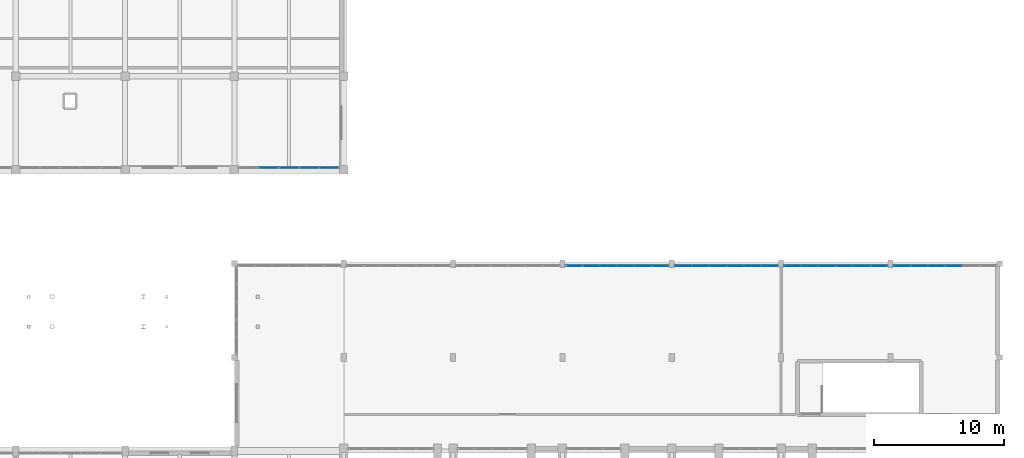
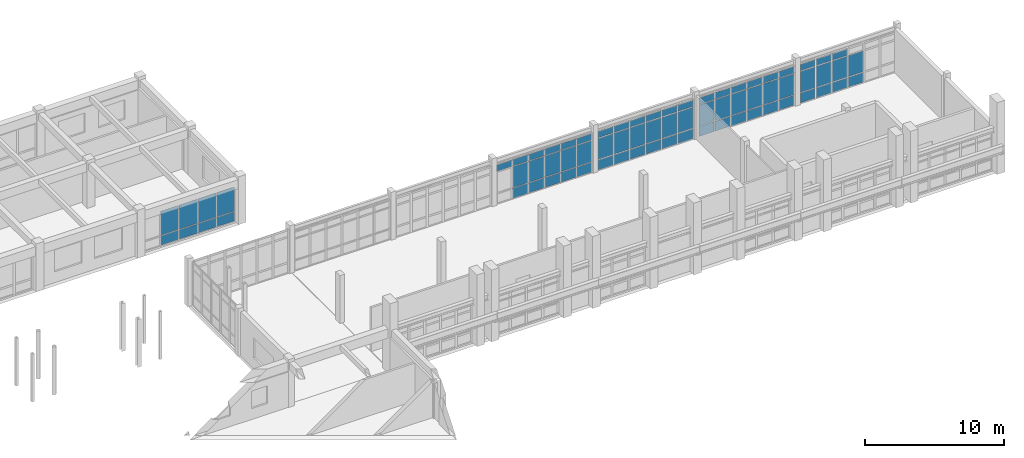
# One storey, part 120 of 147: 71 plates, 5 elements without a shape of their own.
"""IFC4 building model written with IfcOpenShell, lengths in metres."""

from ifc_helpers import new_model, si_unit, direction, frame, origin, origin_2d, place, context, subcontext, project, spatial, rectangle, extrude, material, layer, layer_set, type_object, element, aggregate, save


model = new_model("IFC4")

# Units and contexts
model_context = context("Model", 3, precision=1e-05, world=origin(), true_north=direction((0.0, 1.0)))
body_context = subcontext(model_context, "Body", "Model", "MODEL_VIEW")
ifc_project = project(units=[si_unit("LENGTHUNIT", "METRE"), si_unit("AREAUNIT", "SQUARE_METRE"), si_unit("VOLUMEUNIT", "CUBIC_METRE"), si_unit("PLANEANGLEUNIT", "RADIAN"), si_unit("MASSUNIT", "GRAM", prefix="KILO")], contexts=[model_context])

# Site, building, storey
site_placement = place(None, origin())
site = spatial("IfcSite", under=ifc_project, at=site_placement, CompositionType="ELEMENT")
building_placement = place(site_placement, origin())
building = spatial("IfcBuilding", under=site, at=building_placement, Name="Malvenik Polytechnic", CompositionType="ELEMENT")
storey_placement = place(building_placement, frame((0.0, 0.0, 5.10009765625)))
storey = spatial("IfcBuildingStorey", under=building, at=storey_placement, Name="L01", CompositionType="ELEMENT", Elevation=5.10009765625)

# Curtain wall, plates
ifc_material_1 = material(Name="Anodised aluminium 6060-T6", Category="aluminium")
curtain_wall_type = type_object("IfcCurtainWallType", Name="ARC-CW-CW-02", PredefinedType="NOTDEFINED", material=ifc_material_1)
curtain_wall_1_placement = place(storey_placement, origin())
curtain_wall_1 = element("IfcCurtainWall", 1, at=curtain_wall_1_placement, inside=storey, type_object=curtain_wall_type, Name="Unitised Curtain Wall CW-02 L01 #53", PredefinedType="NOTDEFINED")
ifc_material_2 = material(Name="Insulated low-E double glazing 8-16-8", Category="glass")
ifc_layer_1 = layer(ifc_material_2, 0.028076171875)
ifc_layer_set_1 = layer_set([ifc_layer_1], Name="Insulated low-E double glazing 8-16-8")
plate_type_1 = type_object("IfcPlateType", Name="ARC-CWP-CP-GLZ28", PredefinedType="CURTAIN_PANEL", material=ifc_layer_set_1)
plate_1_placement = place(storey_placement, frame((133.28662109375, 115.3701171875, 0.929931640625), z_axis=(0.0, 0.0, 1.0), x_axis=(-1.0, 0.0, 0.0)))
plate_1 = element("IfcPlate", 2, at=plate_1_placement, type_object=plate_type_1, Name="CW-02 panel 1.2", PredefinedType="CURTAIN_PANEL", context=body_context, shape_type="SweptSolid", body=[
    extrude(rectangle(XDim=1.460693359375, YDim=0.028076171875, at=origin_2d()), origin(), (0.0, 0.0, 1.0), 2.1201171875),
])
plate_2_placement = place(storey_placement, frame((131.750732421875, 115.3701171875, 0.929931640625), z_axis=(0.0, 0.0, 1.0), x_axis=(-1.0, 0.0, 0.0)))
plate_2 = element("IfcPlate", 3, at=plate_2_placement, type_object=plate_type_1, Name="CW-02 panel 2.2", PredefinedType="CURTAIN_PANEL", context=body_context, shape_type="SweptSolid", body=[
    extrude(rectangle(XDim=1.49072265625, YDim=0.028076171875, at=origin_2d()), origin(), (0.0, 0.0, 1.0), 2.1201171875),
])
plate_3_placement = place(storey_placement, frame((130.199951171875, 115.3701171875, 0.929931640625), z_axis=(0.0, 0.0, 1.0), x_axis=(-1.0, 0.0, 0.0)))
plate_3 = element("IfcPlate", 4, at=plate_3_placement, type_object=plate_type_1, Name="CW-02 panel 3.2", PredefinedType="CURTAIN_PANEL", context=body_context, shape_type="SweptSolid", body=[
    extrude(rectangle(XDim=1.49072265625, YDim=0.028076171875, at=origin_2d()), origin(), (0.0, 0.0, 1.0), 2.1201171875),
])
plate_4_placement = place(storey_placement, frame((128.649169921875, 115.3701171875, 0.929931640625), z_axis=(0.0, 0.0, 1.0), x_axis=(-1.0, 0.0, 0.0)))
plate_4 = element("IfcPlate", 5, at=plate_4_placement, type_object=plate_type_1, Name="CW-02 panel 4.2", PredefinedType="CURTAIN_PANEL", context=body_context, shape_type="SweptSolid", body=[
    extrude(rectangle(XDim=1.49072265625, YDim=0.028076171875, at=origin_2d()), origin(), (0.0, 0.0, 1.0), 2.1201171875),
])

curtain_wall_2_placement = place(storey_placement, origin())
curtain_wall_2 = element("IfcCurtainWall", 6, at=curtain_wall_2_placement, inside=storey, type_object=curtain_wall_type, Name="Unitised Curtain Wall CW-02 L01 #67", PredefinedType="NOTDEFINED")
plate_5_placement = place(storey_placement, frame((152.080078125, 107.830078125, 2.8779296875), z_axis=(0.0, 0.0, 1.0), x_axis=(1.0, 0.0, 0.0)))
plate_5 = element("IfcPlate", 7, at=plate_5_placement, type_object=plate_type_1, Name="CW-02 panel 1.3", PredefinedType="CURTAIN_PANEL", context=body_context, shape_type="SweptSolid", body=[
    extrude(rectangle(XDim=1.243896484375, YDim=0.028076171875, at=origin_2d()), origin(), (0.0, 0.0, 1.0), 0.56005859375),
])
plate_6_placement = place(storey_placement, frame((153.39892578125, 107.830078125, 0.97998046875), z_axis=(0.0, 0.0, 1.0), x_axis=(1.0, 0.0, 0.0)))
plate_6 = element("IfcPlate", 8, at=plate_6_placement, type_object=plate_type_1, Name="CW-02 panel 2.2", PredefinedType="CURTAIN_PANEL", context=body_context, shape_type="SweptSolid", body=[
    extrude(rectangle(XDim=1.27392578125, YDim=0.028076171875, at=origin_2d()), origin(), (0.0, 0.0, 1.0), 1.837890625),
])
plate_7_placement = place(storey_placement, frame((153.39892578125, 107.830078125, 2.8779296875), z_axis=(0.0, 0.0, 1.0), x_axis=(1.0, 0.0, 0.0)))
plate_7 = element("IfcPlate", 9, at=plate_7_placement, type_object=plate_type_1, Name="CW-02 panel 2.3", PredefinedType="CURTAIN_PANEL", context=body_context, shape_type="SweptSolid", body=[
    extrude(rectangle(XDim=1.27392578125, YDim=0.028076171875, at=origin_2d()), origin(), (0.0, 0.0, 1.0), 0.56005859375),
])
plate_8_placement = place(storey_placement, frame((154.73291015625, 107.830078125, 0.97998046875), z_axis=(0.0, 0.0, 1.0), x_axis=(1.0, 0.0, 0.0)))
plate_8 = element("IfcPlate", 10, at=plate_8_placement, type_object=plate_type_1, Name="CW-02 panel 3.2", PredefinedType="CURTAIN_PANEL", context=body_context, shape_type="SweptSolid", body=[
    extrude(rectangle(XDim=1.27392578125, YDim=0.028076171875, at=origin_2d()), origin(), (0.0, 0.0, 1.0), 1.837890625),
])
plate_9_placement = place(storey_placement, frame((154.73291015625, 107.830078125, 2.8779296875), z_axis=(0.0, 0.0, 1.0), x_axis=(1.0, 0.0, 0.0)))
plate_9 = element("IfcPlate", 11, at=plate_9_placement, type_object=plate_type_1, Name="CW-02 panel 3.3", PredefinedType="CURTAIN_PANEL", context=body_context, shape_type="SweptSolid", body=[
    extrude(rectangle(XDim=1.27392578125, YDim=0.028076171875, at=origin_2d()), origin(), (0.0, 0.0, 1.0), 0.56005859375),
])
plate_10_placement = place(storey_placement, frame((156.06689453125, 107.830078125, 0.97998046875), z_axis=(0.0, 0.0, 1.0), x_axis=(1.0, 0.0, 0.0)))
plate_10 = element("IfcPlate", 12, at=plate_10_placement, type_object=plate_type_1, Name="CW-02 panel 4.2", PredefinedType="CURTAIN_PANEL", context=body_context, shape_type="SweptSolid", body=[
    extrude(rectangle(XDim=1.27392578125, YDim=0.028076171875, at=origin_2d()), origin(), (0.0, 0.0, 1.0), 1.837890625),
])
plate_11_placement = place(storey_placement, frame((156.06689453125, 107.830078125, 2.8779296875), z_axis=(0.0, 0.0, 1.0), x_axis=(1.0, 0.0, 0.0)))
plate_11 = element("IfcPlate", 13, at=plate_11_placement, type_object=plate_type_1, Name="CW-02 panel 4.3", PredefinedType="CURTAIN_PANEL", context=body_context, shape_type="SweptSolid", body=[
    extrude(rectangle(XDim=1.27392578125, YDim=0.028076171875, at=origin_2d()), origin(), (0.0, 0.0, 1.0), 0.56005859375),
])
plate_12_placement = place(storey_placement, frame((157.40087890625, 107.830078125, 0.97998046875), z_axis=(0.0, 0.0, 1.0), x_axis=(1.0, 0.0, 0.0)))
plate_12 = element("IfcPlate", 14, at=plate_12_placement, type_object=plate_type_1, Name="CW-02 panel 5.2", PredefinedType="CURTAIN_PANEL", context=body_context, shape_type="SweptSolid", body=[
    extrude(rectangle(XDim=1.27392578125, YDim=0.028076171875, at=origin_2d()), origin(), (0.0, 0.0, 1.0), 1.837890625),
])
plate_13_placement = place(storey_placement, frame((157.40087890625, 107.830078125, 2.8779296875), z_axis=(0.0, 0.0, 1.0), x_axis=(1.0, 0.0, 0.0)))
plate_13 = element("IfcPlate", 15, at=plate_13_placement, type_object=plate_type_1, Name="CW-02 panel 5.3", PredefinedType="CURTAIN_PANEL", context=body_context, shape_type="SweptSolid", body=[
    extrude(rectangle(XDim=1.27392578125, YDim=0.028076171875, at=origin_2d()), origin(), (0.0, 0.0, 1.0), 0.56005859375),
])
plate_14_placement = place(storey_placement, frame((158.719970703125, 107.830078125, 0.97998046875), z_axis=(0.0, 0.0, 1.0), x_axis=(1.0, 0.0, 0.0)))
plate_14 = element("IfcPlate", 16, at=plate_14_placement, type_object=plate_type_1, Name="CW-02 panel 6.2", PredefinedType="CURTAIN_PANEL", context=body_context, shape_type="SweptSolid", body=[
    extrude(rectangle(XDim=1.243896484375, YDim=0.028076171875, at=origin_2d()), origin(), (0.0, 0.0, 1.0), 1.837890625),
])
plate_15_placement = place(storey_placement, frame((158.719970703125, 107.830078125, 2.8779296875), z_axis=(0.0, 0.0, 1.0), x_axis=(1.0, 0.0, 0.0)))
plate_15 = element("IfcPlate", 17, at=plate_15_placement, type_object=plate_type_1, Name="CW-02 panel 6.3", PredefinedType="CURTAIN_PANEL", context=body_context, shape_type="SweptSolid", body=[
    extrude(rectangle(XDim=1.243896484375, YDim=0.028076171875, at=origin_2d()), origin(), (0.0, 0.0, 1.0), 0.56005859375),
])

curtain_wall_3_placement = place(storey_placement, origin())
curtain_wall_3 = element("IfcCurtainWall", 18, at=curtain_wall_3_placement, inside=storey, type_object=curtain_wall_type, Name="Unitised Curtain Wall CW-02 L01 #68", PredefinedType="NOTDEFINED")
plate_16_placement = place(storey_placement, frame((160.47998046875, 107.830078125, 0.97998046875), z_axis=(0.0, 0.0, 1.0), x_axis=(1.0, 0.0, 0.0)))
plate_16 = element("IfcPlate", 19, at=plate_16_placement, type_object=plate_type_1, Name="CW-02 panel 1.2", PredefinedType="CURTAIN_PANEL", context=body_context, shape_type="SweptSolid", body=[
    extrude(rectangle(XDim=1.243896484375, YDim=0.028076171875, at=origin_2d()), origin(), (0.0, 0.0, 1.0), 1.837890625),
])
plate_17_placement = place(storey_placement, frame((160.47998046875, 107.830078125, 2.8779296875), z_axis=(0.0, 0.0, 1.0), x_axis=(1.0, 0.0, 0.0)))
plate_17 = element("IfcPlate", 20, at=plate_17_placement, type_object=plate_type_1, Name="CW-02 panel 1.3", PredefinedType="CURTAIN_PANEL", context=body_context, shape_type="SweptSolid", body=[
    extrude(rectangle(XDim=1.243896484375, YDim=0.028076171875, at=origin_2d()), origin(), (0.0, 0.0, 1.0), 0.56005859375),
])
plate_18_placement = place(storey_placement, frame((161.799072265625, 107.830078125, 0.97998046875), z_axis=(0.0, 0.0, 1.0), x_axis=(1.0, 0.0, 0.0)))
plate_18 = element("IfcPlate", 21, at=plate_18_placement, type_object=plate_type_1, Name="CW-02 panel 2.2", PredefinedType="CURTAIN_PANEL", context=body_context, shape_type="SweptSolid", body=[
    extrude(rectangle(XDim=1.27392578125, YDim=0.028076171875, at=origin_2d()), origin(), (0.0, 0.0, 1.0), 1.837890625),
])
plate_19_placement = place(storey_placement, frame((161.799072265625, 107.830078125, 2.8779296875), z_axis=(0.0, 0.0, 1.0), x_axis=(1.0, 0.0, 0.0)))
plate_19 = element("IfcPlate", 22, at=plate_19_placement, type_object=plate_type_1, Name="CW-02 panel 2.3", PredefinedType="CURTAIN_PANEL", context=body_context, shape_type="SweptSolid", body=[
    extrude(rectangle(XDim=1.27392578125, YDim=0.028076171875, at=origin_2d()), origin(), (0.0, 0.0, 1.0), 0.56005859375),
])
plate_20_placement = place(storey_placement, frame((163.133056640625, 107.830078125, 0.97998046875), z_axis=(0.0, 0.0, 1.0), x_axis=(1.0, 0.0, 0.0)))
plate_20 = element("IfcPlate", 23, at=plate_20_placement, type_object=plate_type_1, Name="CW-02 panel 3.2", PredefinedType="CURTAIN_PANEL", context=body_context, shape_type="SweptSolid", body=[
    extrude(rectangle(XDim=1.27392578125, YDim=0.028076171875, at=origin_2d()), origin(), (0.0, 0.0, 1.0), 1.837890625),
])
plate_21_placement = place(storey_placement, frame((163.133056640625, 107.830078125, 2.8779296875), z_axis=(0.0, 0.0, 1.0), x_axis=(1.0, 0.0, 0.0)))
plate_21 = element("IfcPlate", 24, at=plate_21_placement, type_object=plate_type_1, Name="CW-02 panel 3.3", PredefinedType="CURTAIN_PANEL", context=body_context, shape_type="SweptSolid", body=[
    extrude(rectangle(XDim=1.27392578125, YDim=0.028076171875, at=origin_2d()), origin(), (0.0, 0.0, 1.0), 0.56005859375),
])
plate_22_placement = place(storey_placement, frame((164.467041015625, 107.830078125, 0.97998046875), z_axis=(0.0, 0.0, 1.0), x_axis=(1.0, 0.0, 0.0)))
plate_22 = element("IfcPlate", 25, at=plate_22_placement, type_object=plate_type_1, Name="CW-02 panel 4.2", PredefinedType="CURTAIN_PANEL", context=body_context, shape_type="SweptSolid", body=[
    extrude(rectangle(XDim=1.27392578125, YDim=0.028076171875, at=origin_2d()), origin(), (0.0, 0.0, 1.0), 1.837890625),
])
plate_23_placement = place(storey_placement, frame((164.467041015625, 107.830078125, 2.8779296875), z_axis=(0.0, 0.0, 1.0), x_axis=(1.0, 0.0, 0.0)))
plate_23 = element("IfcPlate", 26, at=plate_23_placement, type_object=plate_type_1, Name="CW-02 panel 4.3", PredefinedType="CURTAIN_PANEL", context=body_context, shape_type="SweptSolid", body=[
    extrude(rectangle(XDim=1.27392578125, YDim=0.028076171875, at=origin_2d()), origin(), (0.0, 0.0, 1.0), 0.56005859375),
])
plate_24_placement = place(storey_placement, frame((165.801025390625, 107.830078125, 0.97998046875), z_axis=(0.0, 0.0, 1.0), x_axis=(1.0, 0.0, 0.0)))
plate_24 = element("IfcPlate", 27, at=plate_24_placement, type_object=plate_type_1, Name="CW-02 panel 5.2", PredefinedType="CURTAIN_PANEL", context=body_context, shape_type="SweptSolid", body=[
    extrude(rectangle(XDim=1.27392578125, YDim=0.028076171875, at=origin_2d()), origin(), (0.0, 0.0, 1.0), 1.837890625),
])
plate_25_placement = place(storey_placement, frame((165.801025390625, 107.830078125, 2.8779296875), z_axis=(0.0, 0.0, 1.0), x_axis=(1.0, 0.0, 0.0)))
plate_25 = element("IfcPlate", 28, at=plate_25_placement, type_object=plate_type_1, Name="CW-02 panel 5.3", PredefinedType="CURTAIN_PANEL", context=body_context, shape_type="SweptSolid", body=[
    extrude(rectangle(XDim=1.27392578125, YDim=0.028076171875, at=origin_2d()), origin(), (0.0, 0.0, 1.0), 0.56005859375),
])
plate_26_placement = place(storey_placement, frame((167.1201171875, 107.830078125, 0.97998046875), z_axis=(0.0, 0.0, 1.0), x_axis=(1.0, 0.0, 0.0)))
plate_26 = element("IfcPlate", 29, at=plate_26_placement, type_object=plate_type_1, Name="CW-02 panel 6.2", PredefinedType="CURTAIN_PANEL", context=body_context, shape_type="SweptSolid", body=[
    extrude(rectangle(XDim=1.243896484375, YDim=0.028076171875, at=origin_2d()), origin(), (0.0, 0.0, 1.0), 1.837890625),
])
plate_27_placement = place(storey_placement, frame((167.1201171875, 107.830078125, 2.8779296875), z_axis=(0.0, 0.0, 1.0), x_axis=(1.0, 0.0, 0.0)))
plate_27 = element("IfcPlate", 30, at=plate_27_placement, type_object=plate_type_1, Name="CW-02 panel 6.3", PredefinedType="CURTAIN_PANEL", context=body_context, shape_type="SweptSolid", body=[
    extrude(rectangle(XDim=1.243896484375, YDim=0.028076171875, at=origin_2d()), origin(), (0.0, 0.0, 1.0), 0.56005859375),
])

curtain_wall_4_placement = place(storey_placement, origin())
curtain_wall_4 = element("IfcCurtainWall", 31, at=curtain_wall_4_placement, inside=storey, type_object=curtain_wall_type, Name="Unitised Curtain Wall CW-02 L01 #69", PredefinedType="NOTDEFINED")
plate_28_placement = place(storey_placement, frame((168.8798828125, 107.830078125, 0.97998046875), z_axis=(0.0, 0.0, 1.0), x_axis=(1.0, 0.0, 0.0)))
plate_28 = element("IfcPlate", 32, at=plate_28_placement, type_object=plate_type_1, Name="CW-02 panel 1.2", PredefinedType="CURTAIN_PANEL", context=body_context, shape_type="SweptSolid", body=[
    extrude(rectangle(XDim=1.243896484375, YDim=0.028076171875, at=origin_2d()), origin(), (0.0, 0.0, 1.0), 1.837890625),
])
plate_29_placement = place(storey_placement, frame((168.8798828125, 107.830078125, 2.8779296875), z_axis=(0.0, 0.0, 1.0), x_axis=(1.0, 0.0, 0.0)))
plate_29 = element("IfcPlate", 33, at=plate_29_placement, type_object=plate_type_1, Name="CW-02 panel 1.3", PredefinedType="CURTAIN_PANEL", context=body_context, shape_type="SweptSolid", body=[
    extrude(rectangle(XDim=1.243896484375, YDim=0.028076171875, at=origin_2d()), origin(), (0.0, 0.0, 1.0), 0.56005859375),
])
plate_30_placement = place(storey_placement, frame((170.198974609375, 107.830078125, 0.97998046875), z_axis=(0.0, 0.0, 1.0), x_axis=(1.0, 0.0, 0.0)))
plate_30 = element("IfcPlate", 34, at=plate_30_placement, type_object=plate_type_1, Name="CW-02 panel 2.2", PredefinedType="CURTAIN_PANEL", context=body_context, shape_type="SweptSolid", body=[
    extrude(rectangle(XDim=1.27392578125, YDim=0.028076171875, at=origin_2d()), origin(), (0.0, 0.0, 1.0), 1.837890625),
])
plate_31_placement = place(storey_placement, frame((170.198974609375, 107.830078125, 2.8779296875), z_axis=(0.0, 0.0, 1.0), x_axis=(1.0, 0.0, 0.0)))
plate_31 = element("IfcPlate", 35, at=plate_31_placement, type_object=plate_type_1, Name="CW-02 panel 2.3", PredefinedType="CURTAIN_PANEL", context=body_context, shape_type="SweptSolid", body=[
    extrude(rectangle(XDim=1.27392578125, YDim=0.028076171875, at=origin_2d()), origin(), (0.0, 0.0, 1.0), 0.56005859375),
])
plate_32_placement = place(storey_placement, frame((171.532958984375, 107.830078125, 0.97998046875), z_axis=(0.0, 0.0, 1.0), x_axis=(1.0, 0.0, 0.0)))
plate_32 = element("IfcPlate", 36, at=plate_32_placement, type_object=plate_type_1, Name="CW-02 panel 3.2", PredefinedType="CURTAIN_PANEL", context=body_context, shape_type="SweptSolid", body=[
    extrude(rectangle(XDim=1.27392578125, YDim=0.028076171875, at=origin_2d()), origin(), (0.0, 0.0, 1.0), 1.837890625),
])
plate_33_placement = place(storey_placement, frame((171.532958984375, 107.830078125, 2.8779296875), z_axis=(0.0, 0.0, 1.0), x_axis=(1.0, 0.0, 0.0)))
plate_33 = element("IfcPlate", 37, at=plate_33_placement, type_object=plate_type_1, Name="CW-02 panel 3.3", PredefinedType="CURTAIN_PANEL", context=body_context, shape_type="SweptSolid", body=[
    extrude(rectangle(XDim=1.27392578125, YDim=0.028076171875, at=origin_2d()), origin(), (0.0, 0.0, 1.0), 0.56005859375),
])
plate_34_placement = place(storey_placement, frame((172.866943359375, 107.830078125, 0.97998046875), z_axis=(0.0, 0.0, 1.0), x_axis=(1.0, 0.0, 0.0)))
plate_34 = element("IfcPlate", 38, at=plate_34_placement, type_object=plate_type_1, Name="CW-02 panel 4.2", PredefinedType="CURTAIN_PANEL", context=body_context, shape_type="SweptSolid", body=[
    extrude(rectangle(XDim=1.27392578125, YDim=0.028076171875, at=origin_2d()), origin(), (0.0, 0.0, 1.0), 1.837890625),
])
plate_35_placement = place(storey_placement, frame((172.866943359375, 107.830078125, 2.8779296875), z_axis=(0.0, 0.0, 1.0), x_axis=(1.0, 0.0, 0.0)))
plate_35 = element("IfcPlate", 39, at=plate_35_placement, type_object=plate_type_1, Name="CW-02 panel 4.3", PredefinedType="CURTAIN_PANEL", context=body_context, shape_type="SweptSolid", body=[
    extrude(rectangle(XDim=1.27392578125, YDim=0.028076171875, at=origin_2d()), origin(), (0.0, 0.0, 1.0), 0.56005859375),
])
plate_36_placement = place(storey_placement, frame((174.200927734375, 107.830078125, 0.97998046875), z_axis=(0.0, 0.0, 1.0), x_axis=(1.0, 0.0, 0.0)))
plate_36 = element("IfcPlate", 40, at=plate_36_placement, type_object=plate_type_1, Name="CW-02 panel 5.2", PredefinedType="CURTAIN_PANEL", context=body_context, shape_type="SweptSolid", body=[
    extrude(rectangle(XDim=1.27392578125, YDim=0.028076171875, at=origin_2d()), origin(), (0.0, 0.0, 1.0), 1.837890625),
])
plate_37_placement = place(storey_placement, frame((174.200927734375, 107.830078125, 2.8779296875), z_axis=(0.0, 0.0, 1.0), x_axis=(1.0, 0.0, 0.0)))
plate_37 = element("IfcPlate", 41, at=plate_37_placement, type_object=plate_type_1, Name="CW-02 panel 5.3", PredefinedType="CURTAIN_PANEL", context=body_context, shape_type="SweptSolid", body=[
    extrude(rectangle(XDim=1.27392578125, YDim=0.028076171875, at=origin_2d()), origin(), (0.0, 0.0, 1.0), 0.56005859375),
])
plate_38_placement = place(storey_placement, frame((175.52001953125, 107.830078125, 0.97998046875), z_axis=(0.0, 0.0, 1.0), x_axis=(1.0, 0.0, 0.0)))
plate_38 = element("IfcPlate", 42, at=plate_38_placement, type_object=plate_type_1, Name="CW-02 panel 6.2", PredefinedType="CURTAIN_PANEL", context=body_context, shape_type="SweptSolid", body=[
    extrude(rectangle(XDim=1.243896484375, YDim=0.028076171875, at=origin_2d()), origin(), (0.0, 0.0, 1.0), 1.837890625),
])
plate_39_placement = place(storey_placement, frame((175.52001953125, 107.830078125, 2.8779296875), z_axis=(0.0, 0.0, 1.0), x_axis=(1.0, 0.0, 0.0)))
plate_39 = element("IfcPlate", 43, at=plate_39_placement, type_object=plate_type_1, Name="CW-02 panel 6.3", PredefinedType="CURTAIN_PANEL", context=body_context, shape_type="SweptSolid", body=[
    extrude(rectangle(XDim=1.243896484375, YDim=0.028076171875, at=origin_2d()), origin(), (0.0, 0.0, 1.0), 0.56005859375),
])

curtain_wall_5_placement = place(storey_placement, origin())
curtain_wall_5 = element("IfcCurtainWall", 44, at=curtain_wall_5_placement, inside=storey, type_object=curtain_wall_type, Name="Unitised Curtain Wall CW-02 L01 #70", PredefinedType="NOTDEFINED")
plate_40_placement = place(storey_placement, frame((177.280029296875, 107.830078125, 0.97998046875), z_axis=(0.0, 0.0, 1.0), x_axis=(1.0, 0.0, 0.0)))
plate_40 = element("IfcPlate", 45, at=plate_40_placement, type_object=plate_type_1, Name="CW-02 panel 1.2", PredefinedType="CURTAIN_PANEL", context=body_context, shape_type="SweptSolid", body=[
    extrude(rectangle(XDim=1.243896484375, YDim=0.028076171875, at=origin_2d()), origin(), (0.0, 0.0, 1.0), 1.837890625),
])
plate_41_placement = place(storey_placement, frame((177.280029296875, 107.830078125, 2.8779296875), z_axis=(0.0, 0.0, 1.0), x_axis=(1.0, 0.0, 0.0)))
plate_41 = element("IfcPlate", 46, at=plate_41_placement, type_object=plate_type_1, Name="CW-02 panel 1.3", PredefinedType="CURTAIN_PANEL", context=body_context, shape_type="SweptSolid", body=[
    extrude(rectangle(XDim=1.243896484375, YDim=0.028076171875, at=origin_2d()), origin(), (0.0, 0.0, 1.0), 0.56005859375),
])
plate_42_placement = place(storey_placement, frame((178.59912109375, 107.830078125, 0.97998046875), z_axis=(0.0, 0.0, 1.0), x_axis=(1.0, 0.0, 0.0)))
plate_42 = element("IfcPlate", 47, at=plate_42_placement, type_object=plate_type_1, Name="CW-02 panel 2.2", PredefinedType="CURTAIN_PANEL", context=body_context, shape_type="SweptSolid", body=[
    extrude(rectangle(XDim=1.27392578125, YDim=0.028076171875, at=origin_2d()), origin(), (0.0, 0.0, 1.0), 1.837890625),
])
plate_43_placement = place(storey_placement, frame((178.59912109375, 107.830078125, 2.8779296875), z_axis=(0.0, 0.0, 1.0), x_axis=(1.0, 0.0, 0.0)))
plate_43 = element("IfcPlate", 48, at=plate_43_placement, type_object=plate_type_1, Name="CW-02 panel 2.3", PredefinedType="CURTAIN_PANEL", context=body_context, shape_type="SweptSolid", body=[
    extrude(rectangle(XDim=1.27392578125, YDim=0.028076171875, at=origin_2d()), origin(), (0.0, 0.0, 1.0), 0.56005859375),
])
plate_44_placement = place(storey_placement, frame((179.93310546875, 107.830078125, 0.97998046875), z_axis=(0.0, 0.0, 1.0), x_axis=(1.0, 0.0, 0.0)))
plate_44 = element("IfcPlate", 49, at=plate_44_placement, type_object=plate_type_1, Name="CW-02 panel 3.2", PredefinedType="CURTAIN_PANEL", context=body_context, shape_type="SweptSolid", body=[
    extrude(rectangle(XDim=1.27392578125, YDim=0.028076171875, at=origin_2d()), origin(), (0.0, 0.0, 1.0), 1.837890625),
])
plate_45_placement = place(storey_placement, frame((179.93310546875, 107.830078125, 2.8779296875), z_axis=(0.0, 0.0, 1.0), x_axis=(1.0, 0.0, 0.0)))
plate_45 = element("IfcPlate", 50, at=plate_45_placement, type_object=plate_type_1, Name="CW-02 panel 3.3", PredefinedType="CURTAIN_PANEL", context=body_context, shape_type="SweptSolid", body=[
    extrude(rectangle(XDim=1.27392578125, YDim=0.028076171875, at=origin_2d()), origin(), (0.0, 0.0, 1.0), 0.56005859375),
])
plate_46_placement = place(storey_placement, frame((181.26708984375, 107.830078125, 0.97998046875), z_axis=(0.0, 0.0, 1.0), x_axis=(1.0, 0.0, 0.0)))
plate_46 = element("IfcPlate", 51, at=plate_46_placement, type_object=plate_type_1, Name="CW-02 panel 4.2", PredefinedType="CURTAIN_PANEL", context=body_context, shape_type="SweptSolid", body=[
    extrude(rectangle(XDim=1.27392578125, YDim=0.028076171875, at=origin_2d()), origin(), (0.0, 0.0, 1.0), 1.837890625),
])

# Plate
ifc_material_3 = material(Name="Insulated aluminium spandrel cassette 42mm", Category="aluminium")
ifc_layer_2 = layer(ifc_material_3, 0.0419921875)
ifc_layer_set_2 = layer_set([ifc_layer_2], Name="Insulated aluminium spandrel cassette 42mm")
plate_type_2 = type_object("IfcPlateType", Name="ARC-CWP-CP-SPN42", PredefinedType="CURTAIN_PANEL", material=ifc_layer_set_2)
plate_47_placement = place(storey_placement, frame((133.28662109375, 115.3701171875, 0.059814453125), z_axis=(0.0, 0.0, 1.0), x_axis=(-1.0, 0.0, 0.0)))
plate_47 = element("IfcPlate", 52, at=plate_47_placement, type_object=plate_type_2, Name="CW-02 panel 1.1", PredefinedType="CURTAIN_PANEL", context=body_context, shape_type="SweptSolid", body=[
    extrude(rectangle(XDim=1.460693359375, YDim=0.028076171875, at=origin_2d()), origin(), (0.0, 0.0, 1.0), 0.81005859375),
])

plate_48_placement = place(storey_placement, frame((131.750732421875, 115.3701171875, 0.059814453125), z_axis=(0.0, 0.0, 1.0), x_axis=(-1.0, 0.0, 0.0)))
plate_48 = element("IfcPlate", 53, at=plate_48_placement, type_object=plate_type_2, Name="CW-02 panel 2.1", PredefinedType="CURTAIN_PANEL", context=body_context, shape_type="SweptSolid", body=[
    extrude(rectangle(XDim=1.49072265625, YDim=0.028076171875, at=origin_2d()), origin(), (0.0, 0.0, 1.0), 0.81005859375),
])

plate_49_placement = place(storey_placement, frame((130.199951171875, 115.3701171875, 0.059814453125), z_axis=(0.0, 0.0, 1.0), x_axis=(-1.0, 0.0, 0.0)))
plate_49 = element("IfcPlate", 54, at=plate_49_placement, type_object=plate_type_2, Name="CW-02 panel 3.1", PredefinedType="CURTAIN_PANEL", context=body_context, shape_type="SweptSolid", body=[
    extrude(rectangle(XDim=1.49072265625, YDim=0.028076171875, at=origin_2d()), origin(), (0.0, 0.0, 1.0), 0.81005859375),
])

plate_50_placement = place(storey_placement, frame((128.649169921875, 115.3701171875, 0.059814453125), z_axis=(0.0, 0.0, 1.0), x_axis=(-1.0, 0.0, 0.0)))
plate_50 = element("IfcPlate", 55, at=plate_50_placement, type_object=plate_type_2, Name="CW-02 panel 4.1", PredefinedType="CURTAIN_PANEL", context=body_context, shape_type="SweptSolid", body=[
    extrude(rectangle(XDim=1.49072265625, YDim=0.028076171875, at=origin_2d()), origin(), (0.0, 0.0, 1.0), 0.81005859375),
])

aggregate(curtain_wall_1, [plate_47, plate_1, plate_48, plate_2, plate_49, plate_3, plate_50, plate_4])

plate_51_placement = place(storey_placement, frame((153.39892578125, 107.830078125, 0.06005859375), z_axis=(0.0, 0.0, 1.0), x_axis=(1.0, 0.0, 0.0)))
plate_51 = element("IfcPlate", 56, at=plate_51_placement, type_object=plate_type_2, Name="CW-02 panel 2.1", PredefinedType="CURTAIN_PANEL", context=body_context, shape_type="SweptSolid", body=[
    extrude(rectangle(XDim=1.27392578125, YDim=0.028076171875, at=origin_2d()), origin(), (0.0, 0.0, 1.0), 0.860107421875),
])

plate_52_placement = place(storey_placement, frame((154.73291015625, 107.830078125, 0.06005859375), z_axis=(0.0, 0.0, 1.0), x_axis=(1.0, 0.0, 0.0)))
plate_52 = element("IfcPlate", 57, at=plate_52_placement, type_object=plate_type_2, Name="CW-02 panel 3.1", PredefinedType="CURTAIN_PANEL", context=body_context, shape_type="SweptSolid", body=[
    extrude(rectangle(XDim=1.27392578125, YDim=0.028076171875, at=origin_2d()), origin(), (0.0, 0.0, 1.0), 0.860107421875),
])

plate_53_placement = place(storey_placement, frame((156.06689453125, 107.830078125, 0.06005859375), z_axis=(0.0, 0.0, 1.0), x_axis=(1.0, 0.0, 0.0)))
plate_53 = element("IfcPlate", 58, at=plate_53_placement, type_object=plate_type_2, Name="CW-02 panel 4.1", PredefinedType="CURTAIN_PANEL", context=body_context, shape_type="SweptSolid", body=[
    extrude(rectangle(XDim=1.27392578125, YDim=0.028076171875, at=origin_2d()), origin(), (0.0, 0.0, 1.0), 0.860107421875),
])

plate_54_placement = place(storey_placement, frame((157.40087890625, 107.830078125, 0.06005859375), z_axis=(0.0, 0.0, 1.0), x_axis=(1.0, 0.0, 0.0)))
plate_54 = element("IfcPlate", 59, at=plate_54_placement, type_object=plate_type_2, Name="CW-02 panel 5.1", PredefinedType="CURTAIN_PANEL", context=body_context, shape_type="SweptSolid", body=[
    extrude(rectangle(XDim=1.27392578125, YDim=0.028076171875, at=origin_2d()), origin(), (0.0, 0.0, 1.0), 0.860107421875),
])

plate_55_placement = place(storey_placement, frame((158.719970703125, 107.830078125, 0.06005859375), z_axis=(0.0, 0.0, 1.0), x_axis=(1.0, 0.0, 0.0)))
plate_55 = element("IfcPlate", 60, at=plate_55_placement, type_object=plate_type_2, Name="CW-02 panel 6.1", PredefinedType="CURTAIN_PANEL", context=body_context, shape_type="SweptSolid", body=[
    extrude(rectangle(XDim=1.243896484375, YDim=0.028076171875, at=origin_2d()), origin(), (0.0, 0.0, 1.0), 0.860107421875),
])

aggregate(curtain_wall_2, [plate_5, plate_51, plate_6, plate_7, plate_52, plate_8, plate_9, plate_53, plate_10, plate_11, plate_54, plate_12, plate_13, plate_55, plate_14, plate_15])

plate_56_placement = place(storey_placement, frame((160.47998046875, 107.830078125, 0.06005859375), z_axis=(0.0, 0.0, 1.0), x_axis=(1.0, 0.0, 0.0)))
plate_56 = element("IfcPlate", 61, at=plate_56_placement, type_object=plate_type_2, Name="CW-02 panel 1.1", PredefinedType="CURTAIN_PANEL", context=body_context, shape_type="SweptSolid", body=[
    extrude(rectangle(XDim=1.243896484375, YDim=0.028076171875, at=origin_2d()), origin(), (0.0, 0.0, 1.0), 0.860107421875),
])

plate_57_placement = place(storey_placement, frame((161.799072265625, 107.830078125, 0.06005859375), z_axis=(0.0, 0.0, 1.0), x_axis=(1.0, 0.0, 0.0)))
plate_57 = element("IfcPlate", 62, at=plate_57_placement, type_object=plate_type_2, Name="CW-02 panel 2.1", PredefinedType="CURTAIN_PANEL", context=body_context, shape_type="SweptSolid", body=[
    extrude(rectangle(XDim=1.27392578125, YDim=0.028076171875, at=origin_2d()), origin(), (0.0, 0.0, 1.0), 0.860107421875),
])

plate_58_placement = place(storey_placement, frame((163.133056640625, 107.830078125, 0.06005859375), z_axis=(0.0, 0.0, 1.0), x_axis=(1.0, 0.0, 0.0)))
plate_58 = element("IfcPlate", 63, at=plate_58_placement, type_object=plate_type_2, Name="CW-02 panel 3.1", PredefinedType="CURTAIN_PANEL", context=body_context, shape_type="SweptSolid", body=[
    extrude(rectangle(XDim=1.27392578125, YDim=0.028076171875, at=origin_2d()), origin(), (0.0, 0.0, 1.0), 0.860107421875),
])

plate_59_placement = place(storey_placement, frame((164.467041015625, 107.830078125, 0.06005859375), z_axis=(0.0, 0.0, 1.0), x_axis=(1.0, 0.0, 0.0)))
plate_59 = element("IfcPlate", 64, at=plate_59_placement, type_object=plate_type_2, Name="CW-02 panel 4.1", PredefinedType="CURTAIN_PANEL", context=body_context, shape_type="SweptSolid", body=[
    extrude(rectangle(XDim=1.27392578125, YDim=0.028076171875, at=origin_2d()), origin(), (0.0, 0.0, 1.0), 0.860107421875),
])

plate_60_placement = place(storey_placement, frame((165.801025390625, 107.830078125, 0.06005859375), z_axis=(0.0, 0.0, 1.0), x_axis=(1.0, 0.0, 0.0)))
plate_60 = element("IfcPlate", 65, at=plate_60_placement, type_object=plate_type_2, Name="CW-02 panel 5.1", PredefinedType="CURTAIN_PANEL", context=body_context, shape_type="SweptSolid", body=[
    extrude(rectangle(XDim=1.27392578125, YDim=0.028076171875, at=origin_2d()), origin(), (0.0, 0.0, 1.0), 0.860107421875),
])

plate_61_placement = place(storey_placement, frame((167.1201171875, 107.830078125, 0.06005859375), z_axis=(0.0, 0.0, 1.0), x_axis=(1.0, 0.0, 0.0)))
plate_61 = element("IfcPlate", 66, at=plate_61_placement, type_object=plate_type_2, Name="CW-02 panel 6.1", PredefinedType="CURTAIN_PANEL", context=body_context, shape_type="SweptSolid", body=[
    extrude(rectangle(XDim=1.243896484375, YDim=0.028076171875, at=origin_2d()), origin(), (0.0, 0.0, 1.0), 0.860107421875),
])

aggregate(curtain_wall_3, [plate_56, plate_16, plate_17, plate_57, plate_18, plate_19, plate_58, plate_20, plate_21, plate_59, plate_22, plate_23, plate_60, plate_24, plate_25, plate_61, plate_26, plate_27])

plate_62_placement = place(storey_placement, frame((168.8798828125, 107.830078125, 0.06005859375), z_axis=(0.0, 0.0, 1.0), x_axis=(1.0, 0.0, 0.0)))
plate_62 = element("IfcPlate", 67, at=plate_62_placement, type_object=plate_type_2, Name="CW-02 panel 1.1", PredefinedType="CURTAIN_PANEL", context=body_context, shape_type="SweptSolid", body=[
    extrude(rectangle(XDim=1.243896484375, YDim=0.028076171875, at=origin_2d()), origin(), (0.0, 0.0, 1.0), 0.860107421875),
])

plate_63_placement = place(storey_placement, frame((170.198974609375, 107.830078125, 0.06005859375), z_axis=(0.0, 0.0, 1.0), x_axis=(1.0, 0.0, 0.0)))
plate_63 = element("IfcPlate", 68, at=plate_63_placement, type_object=plate_type_2, Name="CW-02 panel 2.1", PredefinedType="CURTAIN_PANEL", context=body_context, shape_type="SweptSolid", body=[
    extrude(rectangle(XDim=1.27392578125, YDim=0.028076171875, at=origin_2d()), origin(), (0.0, 0.0, 1.0), 0.860107421875),
])

plate_64_placement = place(storey_placement, frame((171.532958984375, 107.830078125, 0.06005859375), z_axis=(0.0, 0.0, 1.0), x_axis=(1.0, 0.0, 0.0)))
plate_64 = element("IfcPlate", 69, at=plate_64_placement, type_object=plate_type_2, Name="CW-02 panel 3.1", PredefinedType="CURTAIN_PANEL", context=body_context, shape_type="SweptSolid", body=[
    extrude(rectangle(XDim=1.27392578125, YDim=0.028076171875, at=origin_2d()), origin(), (0.0, 0.0, 1.0), 0.860107421875),
])

plate_65_placement = place(storey_placement, frame((172.866943359375, 107.830078125, 0.06005859375), z_axis=(0.0, 0.0, 1.0), x_axis=(1.0, 0.0, 0.0)))
plate_65 = element("IfcPlate", 70, at=plate_65_placement, type_object=plate_type_2, Name="CW-02 panel 4.1", PredefinedType="CURTAIN_PANEL", context=body_context, shape_type="SweptSolid", body=[
    extrude(rectangle(XDim=1.27392578125, YDim=0.028076171875, at=origin_2d()), origin(), (0.0, 0.0, 1.0), 0.860107421875),
])

plate_66_placement = place(storey_placement, frame((174.200927734375, 107.830078125, 0.06005859375), z_axis=(0.0, 0.0, 1.0), x_axis=(1.0, 0.0, 0.0)))
plate_66 = element("IfcPlate", 71, at=plate_66_placement, type_object=plate_type_2, Name="CW-02 panel 5.1", PredefinedType="CURTAIN_PANEL", context=body_context, shape_type="SweptSolid", body=[
    extrude(rectangle(XDim=1.27392578125, YDim=0.028076171875, at=origin_2d()), origin(), (0.0, 0.0, 1.0), 0.860107421875),
])

plate_67_placement = place(storey_placement, frame((175.52001953125, 107.830078125, 0.06005859375), z_axis=(0.0, 0.0, 1.0), x_axis=(1.0, 0.0, 0.0)))
plate_67 = element("IfcPlate", 72, at=plate_67_placement, type_object=plate_type_2, Name="CW-02 panel 6.1", PredefinedType="CURTAIN_PANEL", context=body_context, shape_type="SweptSolid", body=[
    extrude(rectangle(XDim=1.243896484375, YDim=0.028076171875, at=origin_2d()), origin(), (0.0, 0.0, 1.0), 0.860107421875),
])

aggregate(curtain_wall_4, [plate_62, plate_28, plate_29, plate_63, plate_30, plate_31, plate_64, plate_32, plate_33, plate_65, plate_34, plate_35, plate_66, plate_36, plate_37, plate_67, plate_38, plate_39])

plate_68_placement = place(storey_placement, frame((177.280029296875, 107.830078125, 0.06005859375), z_axis=(0.0, 0.0, 1.0), x_axis=(1.0, 0.0, 0.0)))
plate_68 = element("IfcPlate", 73, at=plate_68_placement, type_object=plate_type_2, Name="CW-02 panel 1.1", PredefinedType="CURTAIN_PANEL", context=body_context, shape_type="SweptSolid", body=[
    extrude(rectangle(XDim=1.243896484375, YDim=0.028076171875, at=origin_2d()), origin(), (0.0, 0.0, 1.0), 0.860107421875),
])

plate_69_placement = place(storey_placement, frame((178.59912109375, 107.830078125, 0.06005859375), z_axis=(0.0, 0.0, 1.0), x_axis=(1.0, 0.0, 0.0)))
plate_69 = element("IfcPlate", 74, at=plate_69_placement, type_object=plate_type_2, Name="CW-02 panel 2.1", PredefinedType="CURTAIN_PANEL", context=body_context, shape_type="SweptSolid", body=[
    extrude(rectangle(XDim=1.27392578125, YDim=0.028076171875, at=origin_2d()), origin(), (0.0, 0.0, 1.0), 0.860107421875),
])

plate_70_placement = place(storey_placement, frame((179.93310546875, 107.830078125, 0.06005859375), z_axis=(0.0, 0.0, 1.0), x_axis=(1.0, 0.0, 0.0)))
plate_70 = element("IfcPlate", 75, at=plate_70_placement, type_object=plate_type_2, Name="CW-02 panel 3.1", PredefinedType="CURTAIN_PANEL", context=body_context, shape_type="SweptSolid", body=[
    extrude(rectangle(XDim=1.27392578125, YDim=0.028076171875, at=origin_2d()), origin(), (0.0, 0.0, 1.0), 0.860107421875),
])

plate_71_placement = place(storey_placement, frame((181.26708984375, 107.830078125, 0.06005859375), z_axis=(0.0, 0.0, 1.0), x_axis=(1.0, 0.0, 0.0)))
plate_71 = element("IfcPlate", 76, at=plate_71_placement, type_object=plate_type_2, Name="CW-02 panel 4.1", PredefinedType="CURTAIN_PANEL", context=body_context, shape_type="SweptSolid", body=[
    extrude(rectangle(XDim=1.27392578125, YDim=0.028076171875, at=origin_2d()), origin(), (0.0, 0.0, 1.0), 0.860107421875),
])

aggregate(curtain_wall_5, [plate_68, plate_40, plate_41, plate_69, plate_42, plate_43, plate_70, plate_44, plate_45, plate_71, plate_46])

save(model, "model.ifc")
